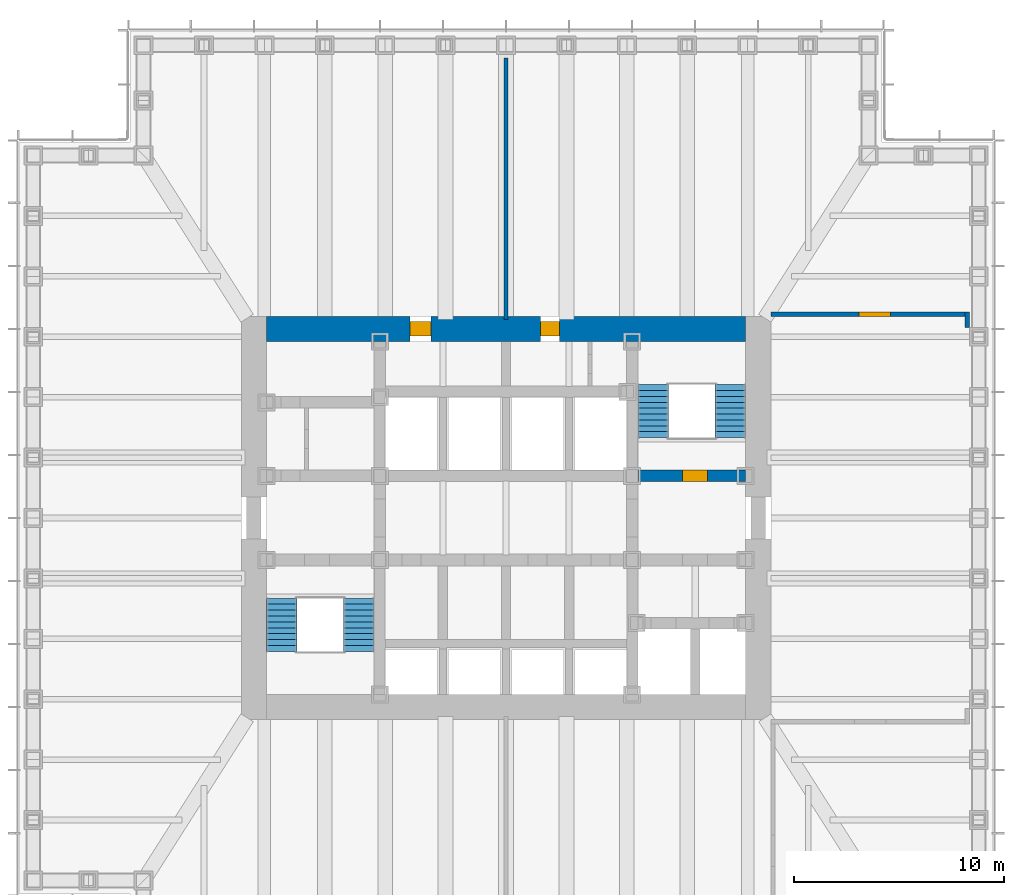
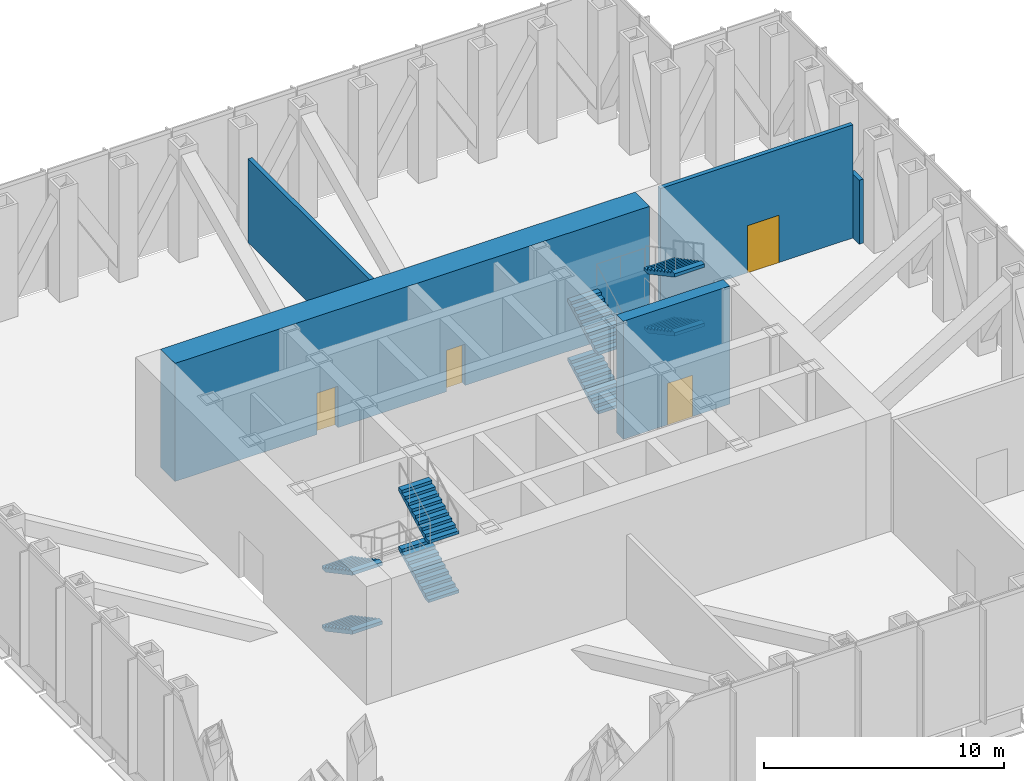
# One storey, part 8 of 13: 8 stair flights, 5 walls, 4 doors, 4 openings, 2 elements without a shape of their own.
"""IFC4 building model written with IfcOpenShell, lengths in metres."""

import ifcopenshell
import ifcopenshell.guid

model = None  # the IFC model being written
_history = None  # IfcOwnerHistory: only IFC2X3 demands one
_inside = {}  # id of a spatial element -> (the spatial element, [elements in it])
_under = {}  # id of a project, library or spatial element -> (it, [spatial elements below it])
_declared = {}  # id of a project -> (the project, [libraries it declares])
_typed = {}  # id of a type object -> (the type object, [elements of that type])
_made_of = {}  # id of a material, layer set ... -> (it, [elements and type objects made of it])


def new_model(schema):
    """Start an empty IFC model of exactly this schema.

    Asked for "IFC4X3", IfcOpenShell would pick the latest addendum, in which some entities
    have other attributes; the version numbers below select the first issue.
    IFC2X3 requires an IfcOwnerHistory on every rooted entity: one is made here for all.
    """
    global model, _history
    if schema == "IFC4X3":
        model = ifcopenshell.file(schema_version=(4, 3, 0, 0))
    else:
        model = ifcopenshell.file(schema=schema)
    _inside.clear()
    _under.clear()
    _declared.clear()
    _typed.clear()
    _made_of.clear()
    _history = None
    if model.schema == "IFC2X3":
        org = make("IfcOrganization", Name="unknown")
        user = make(
            "IfcPersonAndOrganization",
            ThePerson=make("IfcPerson", FamilyName="unknown"),
            TheOrganization=org,
        )
        app = make(
            "IfcApplication",
            ApplicationDeveloper=org,
            Version="unknown",
            ApplicationFullName="unknown",
            ApplicationIdentifier="unknown",
        )
        _history = make(
            "IfcOwnerHistory",
            OwningUser=user,
            OwningApplication=app,
            ChangeAction="ADDED",
            CreationDate=0,
        )
    return model


def make(cls, **values):
    """One entity of the class cls with the attributes given. An attribute that is None is left unset."""
    return model.create_entity(
        cls, **{name: value for name, value in values.items() if value is not None}
    )


def rooted(cls, **values):
    """An entity with a GlobalId (a new one), such as an element, a storey or a relation."""
    return make(cls, GlobalId=ifcopenshell.guid.new(), OwnerHistory=_history, **values)


def si_unit(unit_type, name, prefix=None):
    """IfcSIUnit, for example si_unit("LENGTHUNIT", "METRE", prefix="MILLI")."""
    return make("IfcSIUnit", UnitType=unit_type, Prefix=prefix, Name=name)


def assignment(units):
    """IfcUnitAssignment: the units of a project."""
    return None if units is None else make("IfcUnitAssignment", Units=units)


def point(xyz):
    """IfcCartesianPoint."""
    return None if xyz is None else make("IfcCartesianPoint", Coordinates=xyz)


def direction(xyz):
    """IfcDirection."""
    return None if xyz is None else make("IfcDirection", DirectionRatios=xyz)


def frame(location, z_axis=None, x_axis=None):
    """IfcAxis2Placement3D, a coordinate frame: its origin and axes. An axis left out is left unset."""
    return make(
        "IfcAxis2Placement3D",
        Location=point(location),
        Axis=direction(z_axis),
        RefDirection=direction(x_axis),
    )


def frame_2d(location, x_axis=None):
    """IfcAxis2Placement2D, a coordinate frame in the plane: its origin and x axis."""
    return make(
        "IfcAxis2Placement2D", Location=point(location), RefDirection=direction(x_axis)
    )


def origin():
    """The frame at (0, 0, 0) with its axes left unset."""
    return frame((0.0, 0.0, 0.0))


def place(relative_to, where):
    """IfcLocalPlacement: puts the frame where relative to a parent placement (None: the world)."""
    return make(
        "IfcLocalPlacement", PlacementRelTo=relative_to, RelativePlacement=where
    )


def context(
    kind, dimensions, precision=None, world=None, true_north=None, identifier=None
):
    """IfcGeometricRepresentationContext, for example the 3D "Model" context."""
    return make(
        "IfcGeometricRepresentationContext",
        ContextIdentifier=identifier,
        ContextType=kind,
        CoordinateSpaceDimension=dimensions,
        Precision=precision,
        WorldCoordinateSystem=world,
        TrueNorth=true_north,
    )


def subcontext(parent, identifier, kind, view, scale=None):
    """IfcGeometricRepresentationSubContext, for example "Body" below "Model"."""
    return make(
        "IfcGeometricRepresentationSubContext",
        ContextIdentifier=identifier,
        ContextType=kind,
        ParentContext=parent,
        TargetScale=scale,
        TargetView=view,
    )


def project(units=None, contexts=None):
    """IfcProject with its units and contexts."""
    return rooted(
        "IfcProject",
        Name="project",
        RepresentationContexts=contexts,
        UnitsInContext=assignment(units),
    )


def spatial(cls, under=None, at=None, **own):
    """A site, building, storey or space (cls), placed at a placement, below another one or the project."""
    s = rooted(cls, ObjectPlacement=at, **own)
    if under is not None:
        _under.setdefault(under.id(), (under, []))[1].append(s)
    return s


def polyline(points):
    """IfcPolyline through the points."""
    return make("IfcPolyline", Points=[point(p) for p in points])


def profile(cls, at=None, kind="AREA", **sizes):
    """A parametric profile (cls). Its sizes go by their IFC names, for example OverallWidth=200.0."""
    return make(cls, ProfileType=kind, Position=at, **sizes)


def rectangle(**sizes):
    """IfcRectangleProfileDef."""
    return profile("IfcRectangleProfileDef", **sizes)


def outline(outer, holes=None, kind="AREA"):
    """IfcArbitraryClosedProfileDef: a profile drawn as a closed curve; with holes, ...WithVoids."""
    if holes is None:
        return make("IfcArbitraryClosedProfileDef", ProfileType=kind, OuterCurve=outer)
    return make(
        "IfcArbitraryProfileDefWithVoids",
        ProfileType=kind,
        OuterCurve=outer,
        InnerCurves=holes,
    )


def extrude(swept, where, along, depth):
    """IfcExtrudedAreaSolid: the profile swept, set in the frame where, extruded along a direction by depth."""
    return make(
        "IfcExtrudedAreaSolid",
        SweptArea=swept,
        Position=where,
        ExtrudedDirection=direction(along),
        Depth=depth,
    )


def shape(context_of_items, identifier, shape_type, items):
    """IfcShapeRepresentation: the items that make up one representation, for example the "Body"."""
    return make(
        "IfcShapeRepresentation",
        ContextOfItems=context_of_items,
        RepresentationIdentifier=identifier,
        RepresentationType=shape_type,
        Items=items,
    )


def material(Name=None, Category=None):
    """IfcMaterial."""
    return make("IfcMaterial", Name=Name, Category=Category)


def layer(
    of_material, thickness, ventilated=None, Name=None, Category=None, Priority=None
):
    """IfcMaterialLayer: one layer of a wall or slab, of a material (None: an air gap)."""
    return make(
        "IfcMaterialLayer",
        Material=of_material,
        LayerThickness=thickness,
        IsVentilated=ventilated,
        Name=Name,
        Category=Category,
        Priority=Priority,
    )


def layer_set(layers, Name=None):
    """IfcMaterialLayerSet."""
    return make("IfcMaterialLayerSet", MaterialLayers=layers, LayerSetName=Name)


def made_of(thing, what):
    """Note that an element or type object is made of a material, layer set ...; save() writes the relation."""
    if what is not None:
        _made_of.setdefault(what.id(), (what, []))[1].append(thing)
    return thing


def type_object(cls, material=None, **own):
    """A type object (cls), such as IfcWallType, which elements share."""
    return made_of(rooted(cls, **own), material)


def element(
    cls,
    number,
    at=None,
    inside=None,
    cuts=None,
    type_object=None,
    material=None,
    context=None,
    identifier="Body",
    shape_type=None,
    held_by="IfcProductDefinitionShape",
    body=None,
    shapes=None,
    **own,
):
    """One element of the class cls, such as IfcWall. Its Tag is "e" and its number.

    at: its placement. inside: the storey or other place that contains it. cuts: it is an
    opening in that element (IfcRelVoidsElement). A single representation is given by context,
    identifier, shape_type and body (its items); several are given by shapes. held_by: the class
    of the entity that holds the representations. save() writes the other relations.
    """
    e = rooted(cls, Tag="e%d" % number, ObjectPlacement=at, **own)
    if body is not None:
        shapes = [shape(context, identifier, shape_type, body)]
    if shapes is not None:
        e.Representation = make(held_by, Representations=shapes)
    if inside is not None:
        _inside.setdefault(inside.id(), (inside, []))[1].append(e)
    if cuts is not None:
        rooted(
            "IfcRelVoidsElement", RelatingBuildingElement=cuts, RelatedOpeningElement=e
        )
    if type_object is not None:
        _typed.setdefault(type_object.id(), (type_object, []))[1].append(e)
    return made_of(e, material)


def fill(opening, filler):
    """IfcRelFillsElement: the door or window that sits in an opening."""
    return rooted(
        "IfcRelFillsElement",
        RelatingOpeningElement=opening,
        RelatedBuildingElement=filler,
    )


def aggregate(whole, parts):
    """IfcRelAggregates: a whole, such as a stair, and the parts it consists of."""
    return rooted("IfcRelAggregates", RelatingObject=whole, RelatedObjects=parts)


def save(model, path):
    """Write the relations noted so far, then the file.

    IfcRelAggregates (storeys below a building ...), IfcRelContainedInSpatialStructure (elements
    in a storey), IfcRelDefinesByType, IfcRelAssociatesMaterial and IfcRelDeclares: one each for
    every whole, place, type object, material and project.
    """
    for whole, parts in _under.values():
        aggregate(whole, parts)
    for where, things in _inside.values():
        rooted(
            "IfcRelContainedInSpatialStructure",
            RelatedElements=things,
            RelatingStructure=where,
        )
    for kind, things in _typed.values():
        rooted("IfcRelDefinesByType", RelatedObjects=things, RelatingType=kind)
    for what, things in _made_of.values():
        rooted("IfcRelAssociatesMaterial", RelatedObjects=things, RelatingMaterial=what)
    for by, libraries in _declared.values():
        rooted("IfcRelDeclares", RelatingContext=by, RelatedDefinitions=libraries)
    model.write(path)


model = new_model("IFC4")

# Units and contexts
model_context = context("Model", 3, precision=1e-05, world=origin(), true_north=direction((0.0, 1.0)))
body_context = subcontext(model_context, "Body", "Model", "MODEL_VIEW")
ifc_project = project(units=[si_unit("LENGTHUNIT", "METRE"), si_unit("AREAUNIT", "SQUARE_METRE"), si_unit("VOLUMEUNIT", "CUBIC_METRE"), si_unit("PLANEANGLEUNIT", "RADIAN"), si_unit("MASSUNIT", "GRAM", prefix="KILO")], contexts=[model_context])

# Site, building, storey
site_placement = place(None, origin())
site = spatial("IfcSite", under=ifc_project, at=site_placement, CompositionType="ELEMENT")
building_placement = place(site_placement, origin())
building = spatial("IfcBuilding", under=site, at=building_placement, Name="Daluyong Arena Tower", CompositionType="ELEMENT")
storey_placement = place(building_placement, frame((0.0, 0.0, 175.300048828125)))
storey = spatial("IfcBuildingStorey", under=building, at=storey_placement, Name="L39", CompositionType="ELEMENT", Elevation=175.300048828125)

# Wall, opening, door
ifc_material_1 = material(Name="Concrete fc' 45 MPa", Category="concrete")
ifc_layer_1 = layer(ifc_material_1, 0.550048828125)
ifc_layer_set_1 = layer_set([ifc_layer_1], Name="Concrete fc' 45 MPa")
wall_type_1 = type_object("IfcWallType", Name="Core inner wall 550", PredefinedType="SHEAR", material=ifc_layer_set_1)
wall_1_placement = place(storey_placement, frame((62.27490234375, 82.0, 0.0), z_axis=(0.0, 0.0, 1.0), x_axis=(1.0, 0.0, 0.0)))
wall_1 = element("IfcWall", 1, at=wall_1_placement, inside=storey, type_object=wall_type_1, Name="core inner wall at L39", PredefinedType="SHEAR", context=body_context, shape_type="SweptSolid", body=[
    extrude(rectangle(XDim=5.125, YDim=0.550048828125, at=frame_2d((2.5625, 0.0))), origin(), (0.0, 0.0, 1.0), 6.0),
])
opening_1_placement = place(wall_1_placement, frame((2.125, 0.0, 0.0)))
opening_1 = element("IfcOpeningElement", 2, at=opening_1_placement, cuts=wall_1, Name="Opening 39012", PredefinedType="OPENING", context=body_context, shape_type="SweptSolid", body=[
    extrude(rectangle(XDim=1.199951171875, YDim=2.10009765625, at=frame_2d((0.60009765625, 1.050048828125))), frame((0.0, 0.284912109375, 0.0), z_axis=(0.0, -1.0, 0.0), x_axis=(1.0, 0.0, 0.0)), (0.0, 0.0, 1.0), 0.570068359375),
])
ifc_material_2 = material(Name="Steel door, fire rated", Category="steel")
door_type_1 = type_object("IfcDoorType", Name="Stair door 1200", OperationType="SINGLE_SWING_LEFT", PredefinedType="DOOR", material=ifc_material_2)
door_1_placement = place(opening_1_placement, origin())
door_1 = element("IfcDoor", 3, at=door_1_placement, inside=storey, type_object=door_type_1, Name="stair B door 39012", OperationType="SINGLE_SWING_LEFT", OverallHeight=2.10009765625, OverallWidth=1.199951171875, PredefinedType="DOOR", context=body_context, shape_type="SweptSolid", body=[
    extrude(rectangle(XDim=1.199951171875, YDim=2.10009765625, at=frame_2d((0.60009765625, 1.050048828125))), frame((0.0, 0.27490234375, 0.0), z_axis=(0.0, -1.0, 0.0), x_axis=(1.0, 0.0, 0.0)), (0.0, 0.0, 1.0), 0.549560546875),
])
fill(opening_1, door_1)

# Wall, openings, doors
ifc_material_3 = material(Name="Concrete fc' 60 MPa", Category="concrete")
ifc_layer_2 = layer(ifc_material_3, 1.199951171875)
ifc_layer_set_2 = layer_set([ifc_layer_2], Name="Concrete fc' 60 MPa")
wall_type_2 = type_object("IfcWallType", Name="Core wall 1200", PredefinedType="SHEAR", material=ifc_layer_set_2)
wall_2_placement = place(storey_placement, frame((44.60009765625, 89.0, 0.0), z_axis=(0.0, 0.0, 1.0), x_axis=(1.0, 0.0, 0.0)))
wall_2 = element("IfcWall", 4, at=wall_2_placement, inside=storey, type_object=wall_type_2, Name="core wall at L39", PredefinedType="SHEAR", context=body_context, shape_type="SweptSolid", body=[
    extrude(rectangle(XDim=22.7998046875, YDim=1.199951171875, at=frame_2d((11.39990234375, 0.0))), origin(), (0.0, 0.0, 1.0), 6.0),
])
opening_2_placement = place(wall_2_placement, frame((6.824951171875, 0.0, 0.0)))
opening_2 = element("IfcOpeningElement", 5, at=opening_2_placement, cuts=wall_2, Name="Opening 39004", PredefinedType="OPENING", context=body_context, shape_type="SweptSolid", body=[
    extrude(rectangle(XDim=1.0, YDim=2.10009765625, at=frame_2d((0.5, 1.050048828125))), frame((0.0, 0.60986328125, 0.0), z_axis=(0.0, -1.0, 0.0), x_axis=(1.0, 0.0, 0.0)), (0.0, 0.0, 1.0), 1.219970703125),
])
opening_3_placement = place(wall_2_placement, frame((13.03759765625, 0.0, 0.0)))
opening_3 = element("IfcOpeningElement", 6, at=opening_3_placement, cuts=wall_2, Name="Opening 39005", PredefinedType="OPENING", context=body_context, shape_type="SweptSolid", body=[
    extrude(rectangle(XDim=0.89990234375, YDim=2.10009765625, at=frame_2d((0.449951171875, 1.050048828125))), frame((0.0, 0.60986328125, 0.0), z_axis=(0.0, -1.0, 0.0), x_axis=(1.0, 0.0, 0.0)), (0.0, 0.0, 1.0), 1.219970703125),
])
ifc_material_4 = material(Name="Timber door", Category="wood")
door_type_2 = type_object("IfcDoorType", Name="Accessible toilet door 1000", OperationType="SINGLE_SWING_LEFT", PredefinedType="DOOR", material=ifc_material_4)
door_2_placement = place(opening_2_placement, origin())
door_2 = element("IfcDoor", 7, at=door_2_placement, inside=storey, type_object=door_type_2, Name="accessible toilet door 39004", OperationType="SINGLE_SWING_LEFT", OverallHeight=2.10009765625, OverallWidth=1.0, PredefinedType="DOOR", context=body_context, shape_type="SweptSolid", body=[
    extrude(rectangle(XDim=1.0, YDim=2.10009765625, at=frame_2d((0.5, 1.050048828125))), frame((0.0, 0.35009765625, 0.0), z_axis=(0.0, -1.0, 0.0), x_axis=(1.0, 0.0, 0.0)), (0.0, 0.0, 1.0), 0.699951171875),
])
fill(opening_2, door_2)
ifc_material_5 = material(Name="Steel door, fire rated", Category="steel")
door_type_3 = type_object("IfcDoorType", Name="Core store door 900", OperationType="SINGLE_SWING_LEFT", PredefinedType="DOOR", material=ifc_material_5)
door_3_placement = place(opening_3_placement, origin())
door_3 = element("IfcDoor", 8, at=door_3_placement, inside=storey, type_object=door_type_3, Name="cleaner's store door 39005", OperationType="SINGLE_SWING_LEFT", OverallHeight=2.10009765625, OverallWidth=0.89990234375, PredefinedType="DOOR", context=body_context, shape_type="SweptSolid", body=[
    extrude(rectangle(XDim=0.89990234375, YDim=2.10009765625, at=frame_2d((0.449951171875, 1.050048828125))), frame((0.0, 0.35009765625, 0.0), z_axis=(0.0, -1.0, 0.0), x_axis=(1.0, 0.0, 0.0)), (0.0, 0.0, 1.0), 0.699951171875),
])
fill(opening_3, door_3)

# Wall
ifc_material_6 = material(Name="Concrete block partition, fire rated", Category="concrete")
ifc_layer_3 = layer(ifc_material_6, 0.199951171875)
ifc_layer_set_3 = layer_set([ifc_layer_3], Name="Concrete block partition, fire rated")
wall_type_3 = type_object("IfcWallType", Name="Fire-rated partition 200", PredefinedType="PARTITIONING", material=ifc_layer_set_3)
wall_3_placement = place(storey_placement, frame((56.0, 89.449951171875, 0.0), z_axis=(0.0, 0.0, 1.0), x_axis=(0.0, 1.0, 0.0)))
element("IfcWall", 9, at=wall_3_placement, inside=storey, type_object=wall_type_3, Name="refuge separation wall at L39", PredefinedType="PARTITIONING", context=body_context, shape_type="SweptSolid", body=[
    extrude(rectangle(XDim=12.449951171875, YDim=0.199951171875, at=frame_2d((6.22509765625, 0.0))), origin(), (0.0, 0.0, 1.0), 4.25),
])

# Wall, opening, door
wall_4_placement = place(storey_placement, frame((68.60009765625, 89.699951171875, 0.0), z_axis=(0.0, 0.0, 1.0), x_axis=(1.0, 0.0, 0.0)))
wall_4 = element("IfcWall", 10, at=wall_4_placement, inside=storey, type_object=wall_type_3, Name="plant room partition at L39", PredefinedType="PARTITIONING", context=body_context, shape_type="SweptSolid", body=[
    extrude(rectangle(XDim=9.25, YDim=0.199951171875, at=frame_2d((4.625, 0.0))), origin(), (0.0, 0.0, 1.0), 5.75),
])
opening_4_placement = place(wall_4_placement, frame((4.199951171875, 0.0, 0.0)))
opening_4 = element("IfcOpeningElement", 11, at=opening_4_placement, cuts=wall_4, Name="Opening 39020", PredefinedType="OPENING", context=body_context, shape_type="SweptSolid", body=[
    extrude(rectangle(XDim=1.5, YDim=2.39990234375, at=frame_2d((0.75, 1.199951171875))), frame((0.0, 0.10986328125, 0.0), z_axis=(0.0, -1.0, 0.0), x_axis=(1.0, 0.0, 0.0)), (0.0, 0.0, 1.0), 0.219970703125),
])
ifc_material_7 = material(Name="Steel door, fire rated", Category="steel")
door_type_4 = type_object("IfcDoorType", Name="Plant room door 1500", OperationType="DOUBLE_DOOR_SINGLE_SWING", PredefinedType="DOOR", material=ifc_material_7)
door_4_placement = place(opening_4_placement, origin())
door_4 = element("IfcDoor", 12, at=door_4_placement, inside=storey, type_object=door_type_4, Name="chiller plant room door 39020", OperationType="DOUBLE_DOOR_SINGLE_SWING", OverallHeight=2.39990234375, OverallWidth=1.5, PredefinedType="DOOR", context=body_context, shape_type="SweptSolid", body=[
    extrude(rectangle(XDim=1.5, YDim=2.39990234375, at=frame_2d((0.75, 1.199951171875))), frame((0.0, 0.099609375, 0.0), z_axis=(0.0, -1.0, 0.0), x_axis=(1.0, 0.0, 0.0)), (0.0, 0.0, 1.0), 0.199462890625),
])
fill(opening_4, door_4)

# Wall
wall_5_placement = place(storey_placement, frame((77.949951171875, 89.800048828125, 0.0), z_axis=(0.0, 0.0, 1.0), x_axis=(0.0, -1.0, 0.0)))
element("IfcWall", 13, at=wall_5_placement, inside=storey, type_object=wall_type_3, Name="plant room partition return at L39", PredefinedType="PARTITIONING", context=body_context, shape_type="SweptSolid", body=[
    extrude(rectangle(XDim=0.72998046875, YDim=0.199951171875, at=frame_2d((0.364990234375, 0.0))), origin(), (0.0, 0.0, 1.0), 3.25),
])

# Stair, stair flights
ifc_material_8 = material(Name="Concrete fc' 35 MPa", Category="concrete")
stair_type = type_object("IfcStairType", Name="Core exit stair", PredefinedType="HALF_TURN_STAIR", material=ifc_material_8)
stair_1_placement = place(storey_placement, origin())
stair_1 = element("IfcStair", 14, at=stair_1_placement, inside=storey, type_object=stair_type, Name="exit stair A L39", PredefinedType="HALF_TURN_STAIR")
ifc_material_9 = material(Name="Concrete fc' 35 MPa", Category="concrete")
stair_flight_type = type_object("IfcStairFlightType", Name="Core stair flight", PredefinedType="STRAIGHT", material=ifc_material_9)
stair_flight_1_placement = place(storey_placement, frame((45.324951171875, 76.175048828125, 0.0), z_axis=(0.0, 0.0, 1.0), x_axis=(0.0, -1.0, 0.0)))
stair_flight_1 = element("IfcStairFlight", 15, at=stair_flight_1_placement, type_object=stair_flight_type, Name="STA flight 1", NumberOfRisers=10, NumberOfTreads=9, PredefinedType="STRAIGHT", RiserHeight=0.15, TreadLength=0.28, context=body_context, shape_type="SweptSolid", body=[
    extrude(outline(polyline([(0.0, 0.0), (0.0, 0.14990234375), (0.280029296875, 0.14990234375), (0.280029296875, 0.300048828125), (0.56005859375, 0.300048828125), (0.56005859375, 0.449951171875), (0.840087890625, 0.449951171875), (0.840087890625, 0.60009765625), (1.1201171875, 0.60009765625), (1.1201171875, 0.75), (1.39990234375, 0.75), (1.39990234375, 0.89990234375), (1.679931640625, 0.89990234375), (1.679931640625, 1.050048828125), (1.9599609375, 1.050048828125), (1.9599609375, 1.199951171875), (2.239990234375, 1.199951171875), (2.239990234375, 1.35009765625), (2.52001953125, 1.35009765625), (2.52001953125, 1.5), (2.52001953125, 1.179931640625), (0.3173828125, 0.0), (0.0, 0.0)])), frame((0.0, 0.72509765625, 0.0), z_axis=(0.0, -1.0, 0.0), x_axis=(1.0, 0.0, 0.0)), (0.0, 0.0, 1.0), 1.449951171875),
])
stair_flight_2_placement = place(storey_placement, frame((49.0, 73.655029296875, 1.5), z_axis=(0.0, 0.0, 1.0), x_axis=(0.0, 1.0, 0.0)))
stair_flight_2 = element("IfcStairFlight", 16, at=stair_flight_2_placement, type_object=stair_flight_type, Name="STA flight 2", NumberOfRisers=10, NumberOfTreads=9, PredefinedType="STRAIGHT", RiserHeight=0.15, TreadLength=0.28, context=body_context, shape_type="SweptSolid", body=[
    extrude(outline(polyline([(0.0, 0.0), (0.0, 0.14990234375), (0.280029296875, 0.14990234375), (0.280029296875, 0.300048828125), (0.56005859375, 0.300048828125), (0.56005859375, 0.449951171875), (0.840087890625, 0.449951171875), (0.840087890625, 0.60009765625), (1.1201171875, 0.60009765625), (1.1201171875, 0.75), (1.39990234375, 0.75), (1.39990234375, 0.89990234375), (1.679931640625, 0.89990234375), (1.679931640625, 1.050048828125), (1.9599609375, 1.050048828125), (1.9599609375, 1.199951171875), (2.239990234375, 1.199951171875), (2.239990234375, 1.35009765625), (2.52001953125, 1.35009765625), (2.52001953125, 1.5), (2.52001953125, 1.179931640625), (0.3173828125, 0.0), (0.0, 0.0)])), frame((0.0, 0.72509765625, 0.0), z_axis=(0.0, -1.0, 0.0), x_axis=(1.0, 0.0, 0.0)), (0.0, 0.0, 1.0), 1.449951171875),
])
stair_flight_3_placement = place(storey_placement, frame((45.324951171875, 76.175048828125, 3.0), z_axis=(0.0, 0.0, 1.0), x_axis=(0.0, -1.0, 0.0)))
stair_flight_3 = element("IfcStairFlight", 17, at=stair_flight_3_placement, type_object=stair_flight_type, Name="STA flight 3", NumberOfRisers=10, NumberOfTreads=9, PredefinedType="STRAIGHT", RiserHeight=0.15, TreadLength=0.28, context=body_context, shape_type="SweptSolid", body=[
    extrude(outline(polyline([(0.0, 0.0), (0.0, 0.14990234375), (0.280029296875, 0.14990234375), (0.280029296875, 0.300048828125), (0.56005859375, 0.300048828125), (0.56005859375, 0.449951171875), (0.840087890625, 0.449951171875), (0.840087890625, 0.60009765625), (1.1201171875, 0.60009765625), (1.1201171875, 0.75), (1.39990234375, 0.75), (1.39990234375, 0.89990234375), (1.679931640625, 0.89990234375), (1.679931640625, 1.050048828125), (1.9599609375, 1.050048828125), (1.9599609375, 1.199951171875), (2.239990234375, 1.199951171875), (2.239990234375, 1.35009765625), (2.52001953125, 1.35009765625), (2.52001953125, 1.5), (2.52001953125, 1.179931640625), (0.3173828125, 0.0), (0.0, 0.0)])), frame((0.0, 0.72509765625, 0.0), z_axis=(0.0, -1.0, 0.0), x_axis=(1.0, 0.0, 0.0)), (0.0, 0.0, 1.0), 1.449951171875),
])
stair_flight_4_placement = place(storey_placement, frame((49.0, 73.655029296875, 4.5), z_axis=(0.0, 0.0, 1.0), x_axis=(0.0, 1.0, 0.0)))
stair_flight_4 = element("IfcStairFlight", 18, at=stair_flight_4_placement, type_object=stair_flight_type, Name="STA flight 4", NumberOfRisers=10, NumberOfTreads=9, PredefinedType="STRAIGHT", RiserHeight=0.15, TreadLength=0.28, context=body_context, shape_type="SweptSolid", body=[
    extrude(outline(polyline([(0.0, 0.0), (0.0, 0.14990234375), (0.280029296875, 0.14990234375), (0.280029296875, 0.300048828125), (0.56005859375, 0.300048828125), (0.56005859375, 0.449951171875), (0.840087890625, 0.449951171875), (0.840087890625, 0.60009765625), (1.1201171875, 0.60009765625), (1.1201171875, 0.75), (1.39990234375, 0.75), (1.39990234375, 0.89990234375), (1.679931640625, 0.89990234375), (1.679931640625, 1.050048828125), (1.9599609375, 1.050048828125), (1.9599609375, 1.199951171875), (2.239990234375, 1.199951171875), (2.239990234375, 1.35009765625), (2.52001953125, 1.35009765625), (2.52001953125, 1.5), (2.52001953125, 1.179931640625), (0.3173828125, 0.0), (0.0, 0.0)])), frame((0.0, 0.72509765625, 0.0), z_axis=(0.0, -1.0, 0.0), x_axis=(1.0, 0.0, 0.0)), (0.0, 0.0, 1.0), 1.449951171875),
])
aggregate(stair_1, [stair_flight_1, stair_flight_2, stair_flight_3, stair_flight_4])

stair_2_placement = place(storey_placement, origin())
stair_2 = element("IfcStair", 19, at=stair_2_placement, inside=storey, type_object=stair_type, Name="exit stair B L39", PredefinedType="HALF_TURN_STAIR")
stair_flight_5_placement = place(storey_placement, frame((63.0, 83.824951171875, 0.0), z_axis=(0.0, 0.0, 1.0), x_axis=(0.0, 1.0, 0.0)))
stair_flight_5 = element("IfcStairFlight", 20, at=stair_flight_5_placement, type_object=stair_flight_type, Name="STB flight 1", NumberOfRisers=10, NumberOfTreads=9, PredefinedType="STRAIGHT", RiserHeight=0.15, TreadLength=0.28, context=body_context, shape_type="SweptSolid", body=[
    extrude(outline(polyline([(0.0, 0.0), (0.0, 0.14990234375), (0.280029296875, 0.14990234375), (0.280029296875, 0.300048828125), (0.56005859375, 0.300048828125), (0.56005859375, 0.449951171875), (0.840087890625, 0.449951171875), (0.840087890625, 0.60009765625), (1.1201171875, 0.60009765625), (1.1201171875, 0.75), (1.39990234375, 0.75), (1.39990234375, 0.89990234375), (1.679931640625, 0.89990234375), (1.679931640625, 1.050048828125), (1.9599609375, 1.050048828125), (1.9599609375, 1.199951171875), (2.239990234375, 1.199951171875), (2.239990234375, 1.35009765625), (2.52001953125, 1.35009765625), (2.52001953125, 1.5), (2.52001953125, 1.179931640625), (0.3173828125, 0.0), (0.0, 0.0)])), frame((0.0, 0.72509765625, 0.0), z_axis=(0.0, -1.0, 0.0), x_axis=(1.0, 0.0, 0.0)), (0.0, 0.0, 1.0), 1.449951171875),
])
stair_flight_6_placement = place(storey_placement, frame((66.675048828125, 86.344970703125, 1.5), z_axis=(0.0, 0.0, 1.0), x_axis=(0.0, -1.0, 0.0)))
stair_flight_6 = element("IfcStairFlight", 21, at=stair_flight_6_placement, type_object=stair_flight_type, Name="STB flight 2", NumberOfRisers=10, NumberOfTreads=9, PredefinedType="STRAIGHT", RiserHeight=0.15, TreadLength=0.28, context=body_context, shape_type="SweptSolid", body=[
    extrude(outline(polyline([(0.0, 0.0), (0.0, 0.14990234375), (0.280029296875, 0.14990234375), (0.280029296875, 0.300048828125), (0.56005859375, 0.300048828125), (0.56005859375, 0.449951171875), (0.840087890625, 0.449951171875), (0.840087890625, 0.60009765625), (1.1201171875, 0.60009765625), (1.1201171875, 0.75), (1.39990234375, 0.75), (1.39990234375, 0.89990234375), (1.679931640625, 0.89990234375), (1.679931640625, 1.050048828125), (1.9599609375, 1.050048828125), (1.9599609375, 1.199951171875), (2.239990234375, 1.199951171875), (2.239990234375, 1.35009765625), (2.52001953125, 1.35009765625), (2.52001953125, 1.5), (2.52001953125, 1.179931640625), (0.3173828125, 0.0), (0.0, 0.0)])), frame((0.0, 0.72509765625, 0.0), z_axis=(0.0, -1.0, 0.0), x_axis=(1.0, 0.0, 0.0)), (0.0, 0.0, 1.0), 1.449951171875),
])
stair_flight_7_placement = place(storey_placement, frame((63.0, 83.824951171875, 3.0), z_axis=(0.0, 0.0, 1.0), x_axis=(0.0, 1.0, 0.0)))
stair_flight_7 = element("IfcStairFlight", 22, at=stair_flight_7_placement, type_object=stair_flight_type, Name="STB flight 3", NumberOfRisers=10, NumberOfTreads=9, PredefinedType="STRAIGHT", RiserHeight=0.15, TreadLength=0.28, context=body_context, shape_type="SweptSolid", body=[
    extrude(outline(polyline([(0.0, 0.0), (0.0, 0.14990234375), (0.280029296875, 0.14990234375), (0.280029296875, 0.300048828125), (0.56005859375, 0.300048828125), (0.56005859375, 0.449951171875), (0.840087890625, 0.449951171875), (0.840087890625, 0.60009765625), (1.1201171875, 0.60009765625), (1.1201171875, 0.75), (1.39990234375, 0.75), (1.39990234375, 0.89990234375), (1.679931640625, 0.89990234375), (1.679931640625, 1.050048828125), (1.9599609375, 1.050048828125), (1.9599609375, 1.199951171875), (2.239990234375, 1.199951171875), (2.239990234375, 1.35009765625), (2.52001953125, 1.35009765625), (2.52001953125, 1.5), (2.52001953125, 1.179931640625), (0.3173828125, 0.0), (0.0, 0.0)])), frame((0.0, 0.72509765625, 0.0), z_axis=(0.0, -1.0, 0.0), x_axis=(1.0, 0.0, 0.0)), (0.0, 0.0, 1.0), 1.449951171875),
])
stair_flight_8_placement = place(storey_placement, frame((66.675048828125, 86.344970703125, 4.5), z_axis=(0.0, 0.0, 1.0), x_axis=(0.0, -1.0, 0.0)))
stair_flight_8 = element("IfcStairFlight", 23, at=stair_flight_8_placement, type_object=stair_flight_type, Name="STB flight 4", NumberOfRisers=10, NumberOfTreads=9, PredefinedType="STRAIGHT", RiserHeight=0.15, TreadLength=0.28, context=body_context, shape_type="SweptSolid", body=[
    extrude(outline(polyline([(0.0, 0.0), (0.0, 0.14990234375), (0.280029296875, 0.14990234375), (0.280029296875, 0.300048828125), (0.56005859375, 0.300048828125), (0.56005859375, 0.449951171875), (0.840087890625, 0.449951171875), (0.840087890625, 0.60009765625), (1.1201171875, 0.60009765625), (1.1201171875, 0.75), (1.39990234375, 0.75), (1.39990234375, 0.89990234375), (1.679931640625, 0.89990234375), (1.679931640625, 1.050048828125), (1.9599609375, 1.050048828125), (1.9599609375, 1.199951171875), (2.239990234375, 1.199951171875), (2.239990234375, 1.35009765625), (2.52001953125, 1.35009765625), (2.52001953125, 1.5), (2.52001953125, 1.179931640625), (0.3173828125, 0.0), (0.0, 0.0)])), frame((0.0, 0.72509765625, 0.0), z_axis=(0.0, -1.0, 0.0), x_axis=(1.0, 0.0, 0.0)), (0.0, 0.0, 1.0), 1.449951171875),
])
aggregate(stair_2, [stair_flight_5, stair_flight_6, stair_flight_7, stair_flight_8])

save(model, "model.ifc")
